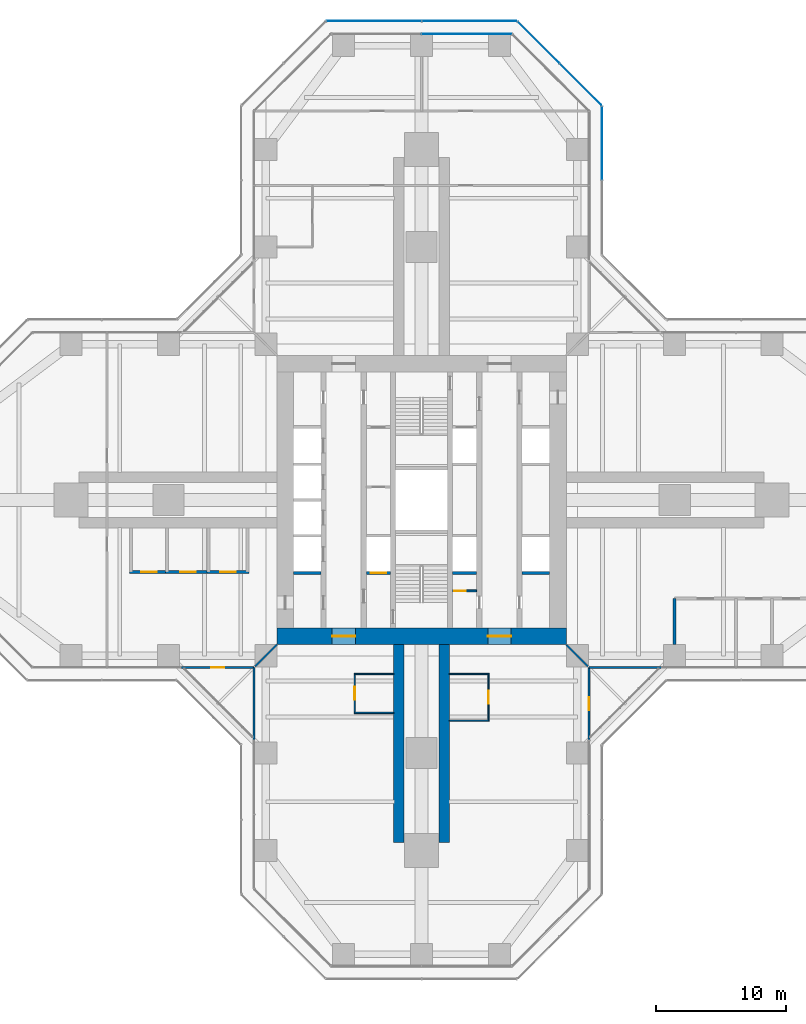
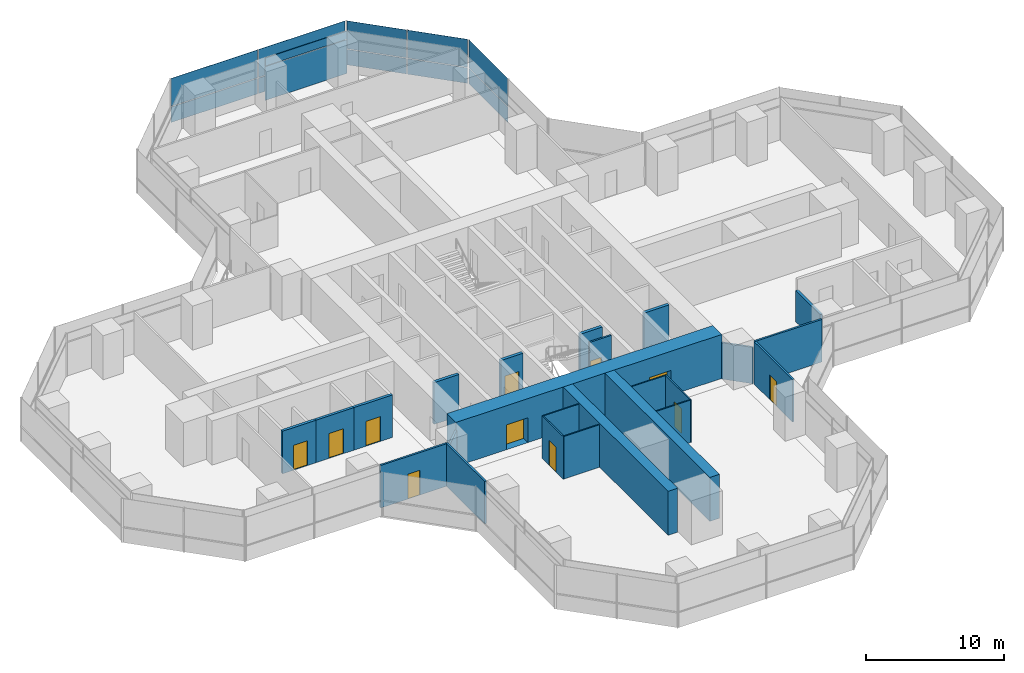
# One storey, part 17 of 22: 24 walls, 12 plates, 11 doors, 11 openings, 4 elements without a shape of their own.
"""IFC4 building model written with IfcOpenShell, lengths in metres."""

from ifc_helpers import new_model, si_unit, direction, frame, frame_2d, origin, origin_2d, place, context, subcontext, project, spatial, rectangle, extrude, material, layer, layer_set, type_object, element, fill, aggregate, save


model = new_model("IFC4")

# Units and contexts
model_context = context("Model", 3, precision=1e-05, world=origin(), true_north=direction((0.0, 1.0)))
body_context = subcontext(model_context, "Body", "Model", "MODEL_VIEW")
ifc_project = project(units=[si_unit("LENGTHUNIT", "METRE"), si_unit("AREAUNIT", "SQUARE_METRE"), si_unit("VOLUMEUNIT", "CUBIC_METRE"), si_unit("PLANEANGLEUNIT", "RADIAN"), si_unit("MASSUNIT", "GRAM", prefix="KILO")], contexts=[model_context])

# Site, building, storey
site_placement = place(None, origin())
site = spatial("IfcSite", under=ifc_project, at=site_placement, CompositionType="ELEMENT")
building_placement = place(site_placement, origin())
building = spatial("IfcBuilding", under=site, at=building_placement, Name="Mizan Broadcast Tower", CompositionType="ELEMENT")
storey_placement = place(building_placement, frame((0.0, 0.0, 43.5)))
storey = spatial("IfcBuildingStorey", under=building, at=storey_placement, Name="L07", CompositionType="ELEMENT", Elevation=43.5)

# Curtain wall, plates
ifc_material_1 = material(Name="Aluminium framed glazing", Category="aluminium")
curtain_wall_type_1 = type_object("IfcCurtainWallType", Name="INNER SKIN LOW ZONE", PredefinedType="USERDEFINED", material=ifc_material_1)
curtain_wall_1_placement = place(storey_placement, origin())
curtain_wall_1 = element("IfcCurtainWall", 1, at=curtain_wall_1_placement, inside=storey, type_object=curtain_wall_type_1, Name="Inner skin low zone L07 N end", ObjectType="INNER SKIN LOW ZONE", PredefinedType="USERDEFINED")
ifc_material_2 = material(Name="Double glazing, clear low-e", Category="glass")
ifc_layer_1 = layer(ifc_material_2, 0.028076171875)
ifc_layer_set_1 = layer_set([ifc_layer_1], Name="Double glazing, clear low-e")
plate_type_1 = type_object("IfcPlateType", Name="INNER SKIN GLAZING UNIT", PredefinedType="CURTAIN_PANEL", material=ifc_layer_set_1)
plate_1_placement = place(storey_placement, frame((3.46435546875, 35.89990234375, 0.0), z_axis=(0.0, 0.0, 1.0), x_axis=(-1.0, 0.0, 0.0)))
plate_1 = element("IfcPlate", 2, at=plate_1_placement, type_object=plate_type_1, Name="Inner skin low zone L07 N end panel 1.1", PredefinedType="CURTAIN_PANEL", context=body_context, shape_type="SweptSolid", body=[
    extrude(rectangle(XDim=6.86865234375, YDim=0.028076171875, at=origin_2d()), origin(), (0.0, 0.0, 1.0), 3.0),
])
ifc_material_3 = material(Name="Insulated aluminium spandrel panel, pale anodised", Category="aluminium")
ifc_layer_2 = layer(ifc_material_3, 0.050048828125)
ifc_layer_set_2 = layer_set([ifc_layer_2], Name="Insulated aluminium spandrel panel, pale anodised")
plate_type_2 = type_object("IfcPlateType", Name="INNER SKIN SPANDREL PANEL", PredefinedType="CURTAIN_PANEL", material=ifc_layer_set_2)
plate_2_placement = place(storey_placement, frame((3.46435546875, 35.89990234375, 3.06005859375), z_axis=(0.0, 0.0, 1.0), x_axis=(-1.0, 0.0, 0.0)))
plate_2 = element("IfcPlate", 3, at=plate_2_placement, type_object=plate_type_2, Name="Inner skin low zone L07 N end panel 1.2", PredefinedType="CURTAIN_PANEL", context=body_context, shape_type="SweptSolid", body=[
    extrude(rectangle(XDim=6.86865234375, YDim=0.050048828125, at=origin_2d()), origin(), (0.0, 0.0, 1.0), 0.7099609375),
])
aggregate(curtain_wall_1, [plate_1, plate_2])

ifc_material_4 = material(Name="Aluminium framed glazing", Category="aluminium")
curtain_wall_type_2 = type_object("IfcCurtainWallType", Name="OUTER SKIN", PredefinedType="USERDEFINED", material=ifc_material_4)
curtain_wall_2_placement = place(storey_placement, origin())
curtain_wall_2 = element("IfcCurtainWall", 4, at=curtain_wall_2_placement, inside=storey, type_object=curtain_wall_type_2, Name="Outer skin L07 N chamfer", ObjectType="OUTER SKIN", PredefinedType="USERDEFINED")
ifc_material_5 = material(Name="Laminated clear glass", Category="glass")
ifc_layer_3 = layer(ifc_material_5, 0.02001953125)
ifc_layer_set_3 = layer_set([ifc_layer_3], Name="Laminated clear glass")
plate_type_3 = type_object("IfcPlateType", Name="OUTER SKIN CLEAR GLASS", PredefinedType="CURTAIN_PANEL", material=ifc_layer_set_3)
plate_3_placement = place(storey_placement, frame((12.254150390625, 32.018798828125, 0.0), z_axis=(0.0, 0.0, 1.0), x_axis=(-0.707106781187, 0.707106781187, 0.0)))
plate_3 = element("IfcPlate", 5, at=plate_3_placement, type_object=plate_type_3, Name="Outer skin L07 N chamfer panel 1.1", PredefinedType="CURTAIN_PANEL", context=body_context, shape_type="SweptSolid", body=[
    extrude(rectangle(XDim=4.495361328125, YDim=0.02001953125, at=origin_2d()), origin(), (0.0, 0.0, 1.0), 1.3701171875),
])
plate_4_placement = place(storey_placement, frame((12.254150390625, 32.018798828125, 1.43017578125), z_axis=(0.0, 0.0, 1.0), x_axis=(-0.707106781187, 0.707106781187, 0.0)))
plate_4 = element("IfcPlate", 6, at=plate_4_placement, type_object=plate_type_3, Name="Outer skin L07 N chamfer panel 1.2", PredefinedType="CURTAIN_PANEL", context=body_context, shape_type="SweptSolid", body=[
    extrude(rectangle(XDim=4.495361328125, YDim=0.02001953125, at=origin_2d()), origin(), (0.0, 0.0, 1.0), 2.469970703125),
])

curtain_wall_3_placement = place(storey_placement, origin())
curtain_wall_3 = element("IfcCurtainWall", 7, at=curtain_wall_3_placement, inside=storey, type_object=curtain_wall_type_2, Name="Outer skin L07 N end", ObjectType="OUTER SKIN", PredefinedType="USERDEFINED")
plate_5_placement = place(storey_placement, frame((3.66650390625, 36.89990234375, 0.0), z_axis=(0.0, 0.0, 1.0), x_axis=(-1.0, 0.0, 0.0)))
plate_5 = element("IfcPlate", 8, at=plate_5_placement, type_object=plate_type_3, Name="Outer skin L07 N end panel 1.1", PredefinedType="CURTAIN_PANEL", context=body_context, shape_type="SweptSolid", body=[
    extrude(rectangle(XDim=7.252685546875, YDim=0.02001953125, at=origin_2d()), origin(), (0.0, 0.0, 1.0), 1.3701171875),
])
plate_6_placement = place(storey_placement, frame((3.66650390625, 36.89990234375, 1.43017578125), z_axis=(0.0, 0.0, 1.0), x_axis=(-1.0, 0.0, 0.0)))
plate_6 = element("IfcPlate", 9, at=plate_6_placement, type_object=plate_type_3, Name="Outer skin L07 N end panel 1.2", PredefinedType="CURTAIN_PANEL", context=body_context, shape_type="SweptSolid", body=[
    extrude(rectangle(XDim=7.252685546875, YDim=0.02001953125, at=origin_2d()), origin(), (0.0, 0.0, 1.0), 2.469970703125),
])
plate_7_placement = place(storey_placement, frame((-3.66650390625, 36.89990234375, 0.0), z_axis=(0.0, 0.0, 1.0), x_axis=(-1.0, 0.0, 0.0)))
plate_7 = element("IfcPlate", 10, at=plate_7_placement, type_object=plate_type_3, Name="Outer skin L07 N end panel 2.1", PredefinedType="CURTAIN_PANEL", context=body_context, shape_type="SweptSolid", body=[
    extrude(rectangle(XDim=7.252685546875, YDim=0.02001953125, at=origin_2d()), origin(), (0.0, 0.0, 1.0), 1.3701171875),
])
plate_8_placement = place(storey_placement, frame((-3.66650390625, 36.89990234375, 1.43017578125), z_axis=(0.0, 0.0, 1.0), x_axis=(-1.0, 0.0, 0.0)))
plate_8 = element("IfcPlate", 11, at=plate_8_placement, type_object=plate_type_3, Name="Outer skin L07 N end panel 2.2", PredefinedType="CURTAIN_PANEL", context=body_context, shape_type="SweptSolid", body=[
    extrude(rectangle(XDim=7.252685546875, YDim=0.02001953125, at=origin_2d()), origin(), (0.0, 0.0, 1.0), 2.469970703125),
])
aggregate(curtain_wall_3, [plate_5, plate_6, plate_7, plate_8])

curtain_wall_4_placement = place(storey_placement, origin())
curtain_wall_4 = element("IfcCurtainWall", 12, at=curtain_wall_4_placement, inside=storey, type_object=curtain_wall_type_2, Name="Outer skin L07 N side", ObjectType="OUTER SKIN", PredefinedType="USERDEFINED")
ifc_material_6 = material(Name="Perforated aluminium, pale anodised", Category="aluminium")
ifc_layer_4 = layer(ifc_material_6, 0.011962890625)
ifc_layer_set_4 = layer_set([ifc_layer_4], Name="Perforated aluminium, pale anodised")
plate_type_4 = type_object("IfcPlateType", Name="OUTER SKIN PERFORATED SCREEN", PredefinedType="USERDEFINED", material=ifc_layer_set_4)
plate_9_placement = place(storey_placement, frame((13.89990234375, 27.477783203125, 0.0), z_axis=(0.0, 0.0, 1.0), x_axis=(0.0, 1.0, 0.0)))
plate_9 = element("IfcPlate", 13, at=plate_9_placement, type_object=plate_type_4, Name="Outer skin L07 N side panel 2.1", ObjectType="SCREEN", PredefinedType="USERDEFINED", context=body_context, shape_type="SweptSolid", body=[
    extrude(rectangle(XDim=5.6298828125, YDim=0.011962890625, at=origin_2d()), origin(), (0.0, 0.0, 1.0), 1.3701171875),
])
plate_10_placement = place(storey_placement, frame((13.89990234375, 27.477783203125, 1.43017578125), z_axis=(0.0, 0.0, 1.0), x_axis=(0.0, 1.0, 0.0)))
plate_10 = element("IfcPlate", 14, at=plate_10_placement, type_object=plate_type_4, Name="Outer skin L07 N side panel 2.2", ObjectType="SCREEN", PredefinedType="USERDEFINED", context=body_context, shape_type="SweptSolid", body=[
    extrude(rectangle(XDim=5.6298828125, YDim=0.011962890625, at=origin_2d()), origin(), (0.0, 0.0, 1.0), 2.469970703125),
])
aggregate(curtain_wall_4, [plate_9, plate_10])

# Plate
plate_11_placement = place(storey_placement, frame((9.018798828125, 35.254150390625, 0.0), z_axis=(0.0, 0.0, 1.0), x_axis=(-0.707106781187, 0.707106781187, 0.0)))
plate_11 = element("IfcPlate", 15, at=plate_11_placement, type_object=plate_type_4, Name="Outer skin L07 N chamfer panel 2.1", ObjectType="SCREEN", PredefinedType="USERDEFINED", context=body_context, shape_type="SweptSolid", body=[
    extrude(rectangle(XDim=4.495361328125, YDim=0.011962890625, at=origin_2d()), origin(), (0.0, 0.0, 1.0), 1.3701171875),
])

plate_12_placement = place(storey_placement, frame((9.018798828125, 35.254150390625, 1.43017578125), z_axis=(0.0, 0.0, 1.0), x_axis=(-0.707106781187, 0.707106781187, 0.0)))
plate_12 = element("IfcPlate", 16, at=plate_12_placement, type_object=plate_type_4, Name="Outer skin L07 N chamfer panel 2.2", ObjectType="SCREEN", PredefinedType="USERDEFINED", context=body_context, shape_type="SweptSolid", body=[
    extrude(rectangle(XDim=4.495361328125, YDim=0.011962890625, at=origin_2d()), origin(), (0.0, 0.0, 1.0), 2.469970703125),
])

aggregate(curtain_wall_2, [plate_3, plate_4, plate_11, plate_12])

# Wall, opening, door
ifc_material_7 = material(Name="Concrete blockwork", Category="masonry")
ifc_layer_5 = layer(ifc_material_7, 0.14990234375)
ifc_layer_set_5 = layer_set([ifc_layer_5], Name="Concrete blockwork")
wall_type_1 = type_object("IfcWallType", Name="CORE PARTITION 150", PredefinedType="SOLIDWALL", material=ifc_layer_set_5)
wall_1_placement = place(storey_placement, frame((2.39990234375, -7.0, 0.0), z_axis=(0.0, 0.0, 1.0), x_axis=(1.0, 0.0, 0.0)))
wall_1 = element("IfcWall", 17, at=wall_1_placement, inside=storey, type_object=wall_type_1, Name="Core partition CORE/XPC", PredefinedType="SOLIDWALL", context=body_context, shape_type="SweptSolid", body=[
    extrude(rectangle(XDim=1.85009765625, YDim=0.14990234375, at=frame_2d((0.925048828125, 0.0))), origin(), (0.0, 0.0, 1.0), 3.77001953125),
])
opening_1_placement = place(wall_1_placement, frame((0.10009765625, 0.0, 0.0)))
opening_1 = element("IfcOpeningElement", 18, at=opening_1_placement, cuts=wall_1, Name="Opening D09F", PredefinedType="OPENING", context=body_context, shape_type="SweptSolid", body=[
    extrude(rectangle(XDim=0.89990234375, YDim=2.10009765625, at=frame_2d((0.449951171875, 1.050048828125))), frame((0.0, 0.0849609375, 0.0), z_axis=(0.0, -1.0, 0.0), x_axis=(1.0, 0.0, 0.0)), (0.0, 0.0, 1.0), 0.169921875),
])
ifc_material_8 = material(Name="Steel door leaf in steel frame", Category="steel")
door_type_1 = type_object("IfcDoorType", Name="CORE ROOM DOOR 900 FD90", OperationType="SINGLE_SWING_LEFT", PredefinedType="DOOR", material=ifc_material_8)
door_1_placement = place(opening_1_placement, origin())
door_1 = element("IfcDoor", 19, at=door_1_placement, inside=storey, type_object=door_type_1, Name="Waste store door", OperationType="SINGLE_SWING_LEFT", OverallHeight=2.10009765625, OverallWidth=0.89990234375, PredefinedType="DOOR", context=body_context, shape_type="SweptSolid", body=[
    extrude(rectangle(XDim=0.89990234375, YDim=2.10009765625, at=frame_2d((0.449951171875, 1.050048828125))), frame((0.0, 0.02490234375, 0.0), z_axis=(0.0, -1.0, 0.0), x_axis=(1.0, 0.0, 0.0)), (0.0, 0.0, 1.0), 0.050048828125),
])
fill(opening_1, door_1)

# Wall, openings, doors
ifc_material_9 = material(Name="Concrete C70/85", Category="concrete")
ifc_layer_6 = layer(ifc_material_9, 1.300048828125)
ifc_layer_set_6 = layer_set([ifc_layer_6], Name="Concrete C70/85")
wall_type_2 = type_object("IfcWallType", Name="CORE WALL 1300", PredefinedType="SHEAR", material=ifc_layer_set_6)
wall_2_placement = place(storey_placement, frame((11.14990234375, -10.5, 0.0), z_axis=(0.0, 0.0, 1.0), x_axis=(-1.0, 0.0, 0.0)))
wall_2 = element("IfcWall", 20, at=wall_2_placement, inside=storey, type_object=wall_type_2, Name="Core wall S L07", PredefinedType="SHEAR", context=body_context, shape_type="SweptSolid", body=[
    extrude(rectangle(XDim=22.2998046875, YDim=1.300048828125, at=frame_2d((11.14990234375, 0.0))), origin(), (0.0, 0.0, 1.0), 3.89990234375),
])
opening_2_placement = place(wall_2_placement, frame((16.25, 0.0, 0.0)))
opening_2 = element("IfcOpeningElement", 21, at=opening_2_placement, cuts=wall_2, Name="Opening D18F", PredefinedType="OPENING", context=body_context, shape_type="SweptSolid", body=[
    extrude(rectangle(XDim=1.800048828125, YDim=2.199951171875, at=frame_2d((0.89990234375, 1.10009765625))), frame((0.0, 0.659912109375, 0.0), z_axis=(0.0, -1.0, 0.0), x_axis=(1.0, 0.0, 0.0)), (0.0, 0.0, 1.0), 1.320068359375),
])
opening_3_placement = place(wall_2_placement, frame((4.25, 0.0, 0.0)))
opening_3 = element("IfcOpeningElement", 22, at=opening_3_placement, cuts=wall_2, Name="Opening D18F", PredefinedType="OPENING", context=body_context, shape_type="SweptSolid", body=[
    extrude(rectangle(XDim=1.800048828125, YDim=2.199951171875, at=frame_2d((0.89990234375, 1.10009765625))), frame((0.0, 0.659912109375, 0.0), z_axis=(0.0, -1.0, 0.0), x_axis=(1.0, 0.0, 0.0)), (0.0, 0.0, 1.0), 1.320068359375),
])
ifc_material_10 = material(Name="Steel door leaf in steel frame", Category="steel")
door_type_2 = type_object("IfcDoorType", Name="LOBBY DOUBLE DOOR 1800 FD90", OperationType="DOUBLE_DOOR_DOUBLE_SWING", PredefinedType="DOOR", material=ifc_material_10)
door_2_placement = place(opening_2_placement, origin())
door_2 = element("IfcDoor", 23, at=door_2_placement, inside=storey, type_object=door_type_2, Name="West lift lobby south door", OperationType="DOUBLE_DOOR_DOUBLE_SWING", OverallHeight=2.199951171875, OverallWidth=1.800048828125, PredefinedType="DOOR", context=body_context, shape_type="SweptSolid", body=[
    extrude(rectangle(XDim=1.800048828125, YDim=2.199951171875, at=frame_2d((0.89990234375, 1.10009765625))), frame((0.0, 0.02490234375, 0.0), z_axis=(0.0, -1.0, 0.0), x_axis=(1.0, 0.0, 0.0)), (0.0, 0.0, 1.0), 0.050048828125),
])
fill(opening_2, door_2)
door_3_placement = place(opening_3_placement, origin())
door_3 = element("IfcDoor", 24, at=door_3_placement, inside=storey, type_object=door_type_2, Name="East lift lobby south door", OperationType="DOUBLE_DOOR_DOUBLE_SWING", OverallHeight=2.199951171875, OverallWidth=1.800048828125, PredefinedType="DOOR", context=body_context, shape_type="SweptSolid", body=[
    extrude(rectangle(XDim=1.800048828125, YDim=2.199951171875, at=frame_2d((0.89990234375, 1.10009765625))), frame((0.0, 0.02490234375, 0.0), z_axis=(0.0, -1.0, 0.0), x_axis=(1.0, 0.0, 0.0)), (0.0, 0.0, 1.0), 0.050048828125),
])
fill(opening_3, door_3)

# Wall
ifc_material_11 = material(Name="Aluminium framed glazed screen", Category="aluminium")
ifc_layer_7 = layer(ifc_material_11, 0.159912109375)
ifc_layer_set_7 = layer_set([ifc_layer_7], Name="Aluminium framed glazed screen")
wall_type_3 = type_object("IfcWallType", Name="GLAZED SCREEN WALL 160", PredefinedType="SOLIDWALL", material=ifc_layer_set_7)
wall_3_placement = place(storey_placement, frame((12.89990234375, -12.89990234375, 0.0), z_axis=(0.0, 0.0, 1.0), x_axis=(1.0, 0.0, 0.0)))
element("IfcWall", 25, at=wall_3_placement, inside=storey, type_object=wall_type_3, Name="Winter garden screen L07 E", PredefinedType="SOLIDWALL", context=body_context, shape_type="SweptSolid", body=[
    extrude(rectangle(XDim=5.60009765625, YDim=0.159912109375, at=frame_2d((2.800048828125, 0.0))), origin(), (0.0, 0.0, 1.0), 3.77001953125),
])

# Wall, opening, door
wall_4_placement = place(storey_placement, frame((-18.5, -12.89990234375, 0.0), z_axis=(0.0, 0.0, 1.0), x_axis=(1.0, 0.0, 0.0)))
wall_4 = element("IfcWall", 26, at=wall_4_placement, inside=storey, type_object=wall_type_3, Name="Winter garden screen L07 W", PredefinedType="SOLIDWALL", context=body_context, shape_type="SweptSolid", body=[
    extrude(rectangle(XDim=5.60009765625, YDim=0.159912109375, at=frame_2d((2.800048828125, 0.0))), origin(), (0.0, 0.0, 1.0), 3.77001953125),
])
opening_4_placement = place(wall_4_placement, frame((2.300048828125, 0.0, 0.0)))
opening_4 = element("IfcOpeningElement", 27, at=opening_4_placement, cuts=wall_4, Name="Opening WGD", PredefinedType="OPENING", context=body_context, shape_type="SweptSolid", body=[
    extrude(rectangle(XDim=1.0, YDim=2.199951171875, at=frame_2d((0.5, 1.10009765625))), frame((0.0, 0.08984375, 0.0), z_axis=(0.0, -1.0, 0.0), x_axis=(1.0, 0.0, 0.0)), (0.0, 0.0, 1.0), 0.179931640625),
])
ifc_material_12 = material(Name="Aluminium framed glazed door", Category="aluminium")
door_type_3 = type_object("IfcDoorType", Name="WINTER GARDEN DOOR 1000 GLAZED", OperationType="SINGLE_SWING_LEFT", PredefinedType="DOOR", material=ifc_material_12)
door_4_placement = place(opening_4_placement, origin())
door_4 = element("IfcDoor", 28, at=door_4_placement, inside=storey, type_object=door_type_3, Name="Winter garden door L07 W", OperationType="SINGLE_SWING_RIGHT", OverallHeight=2.199951171875, OverallWidth=1.0, PredefinedType="DOOR", context=body_context, shape_type="SweptSolid", body=[
    extrude(rectangle(XDim=1.0, YDim=2.199951171875, at=frame_2d((0.5, 1.10009765625))), frame((0.0, 0.02490234375, 0.0), z_axis=(0.0, -1.0, 0.0), x_axis=(1.0, 0.0, 0.0)), (0.0, 0.0, 1.0), 0.050048828125),
])
fill(opening_4, door_4)

# Wall
wall_5_placement = place(storey_placement, frame((-12.89990234375, -12.89990234375, 0.0), z_axis=(0.0, 0.0, 1.0), x_axis=(0.0, -1.0, 0.0)))
element("IfcWall", 29, at=wall_5_placement, inside=storey, type_object=wall_type_3, Name="Winter garden screen L07 S", PredefinedType="SOLIDWALL", context=body_context, shape_type="SweptSolid", body=[
    extrude(rectangle(XDim=5.60009765625, YDim=0.159912109375, at=frame_2d((2.800048828125, 0.0))), origin(), (0.0, 0.0, 1.0), 3.77001953125),
])

# Wall, opening, door
wall_6_placement = place(storey_placement, frame((12.89990234375, -18.5, 0.0), z_axis=(0.0, 0.0, 1.0), x_axis=(0.0, 1.0, 0.0)))
wall_6 = element("IfcWall", 30, at=wall_6_placement, inside=storey, type_object=wall_type_3, Name="Winter garden screen L07 S", PredefinedType="SOLIDWALL", context=body_context, shape_type="SweptSolid", body=[
    extrude(rectangle(XDim=5.60009765625, YDim=0.159912109375, at=frame_2d((2.800048828125, 0.0))), origin(), (0.0, 0.0, 1.0), 3.77001953125),
])
opening_5_placement = place(wall_6_placement, frame((2.300048828125, 0.0, 0.0)))
opening_5 = element("IfcOpeningElement", 31, at=opening_5_placement, cuts=wall_6, Name="Opening WGD", PredefinedType="OPENING", context=body_context, shape_type="SweptSolid", body=[
    extrude(rectangle(XDim=1.0, YDim=2.199951171875, at=frame_2d((0.5, 1.10009765625))), frame((0.0, 0.08984375, 0.0), z_axis=(0.0, -1.0, 0.0), x_axis=(1.0, 0.0, 0.0)), (0.0, 0.0, 1.0), 0.179931640625),
])
door_5_placement = place(opening_5_placement, origin())
door_5 = element("IfcDoor", 32, at=door_5_placement, inside=storey, type_object=door_type_3, Name="Winter garden door L07 S", OperationType="SINGLE_SWING_RIGHT", OverallHeight=2.199951171875, OverallWidth=1.0, PredefinedType="DOOR", context=body_context, shape_type="SweptSolid", body=[
    extrude(rectangle(XDim=1.0, YDim=2.199951171875, at=frame_2d((0.5, 1.10009765625))), frame((0.0, 0.02490234375, 0.0), z_axis=(0.0, -1.0, 0.0), x_axis=(1.0, 0.0, 0.0)), (0.0, 0.0, 1.0), 0.050048828125),
])
fill(opening_5, door_5)

# Wall
ifc_material_13 = material(Name="Concrete blockwork", Category="masonry")
ifc_layer_8 = layer(ifc_material_13, 0.25)
ifc_layer_set_8 = layer_set([ifc_layer_8], Name="Concrete blockwork")
wall_type_4 = type_object("IfcWallType", Name="LOBBY ENCLOSURE WALL 250", PredefinedType="SOLIDWALL", material=ifc_layer_set_8)
wall_7_placement = place(storey_placement, frame((-9.85009765625, -5.625, 0.0), z_axis=(0.0, 0.0, 1.0), x_axis=(1.0, 0.0, 0.0)))
element("IfcWall", 33, at=wall_7_placement, inside=storey, type_object=wall_type_4, Name="Lobby enclosure wall CORE/BW1S", PredefinedType="SOLIDWALL", context=body_context, shape_type="SweptSolid", body=[
    extrude(rectangle(XDim=2.10009765625, YDim=0.25, at=frame_2d((1.050048828125, 0.0))), origin(), (0.0, 0.0, 1.0), 3.699951171875),
])

# Wall, opening, door
wall_8_placement = place(storey_placement, frame((-4.25, -5.625, 0.0), z_axis=(0.0, 0.0, 1.0), x_axis=(1.0, 0.0, 0.0)))
wall_8 = element("IfcWall", 34, at=wall_8_placement, inside=storey, type_object=wall_type_4, Name="Lobby enclosure wall CORE/BW2S", PredefinedType="SOLIDWALL", context=body_context, shape_type="SweptSolid", body=[
    extrude(rectangle(XDim=1.85009765625, YDim=0.25, at=frame_2d((0.925048828125, 0.0))), origin(), (0.0, 0.0, 1.0), 3.699951171875),
])
opening_6_placement = place(wall_8_placement, frame((0.324951171875, 0.0, 0.0)))
opening_6 = element("IfcOpeningElement", 35, at=opening_6_placement, cuts=wall_8, Name="Opening LDF", PredefinedType="OPENING", context=body_context, shape_type="SweptSolid", body=[
    extrude(rectangle(XDim=1.199951171875, YDim=2.199951171875, at=frame_2d((0.60009765625, 1.10009765625))), frame((0.0, 0.135009765625, 0.0), z_axis=(0.0, -1.0, 0.0), x_axis=(1.0, 0.0, 0.0)), (0.0, 0.0, 1.0), 0.27001953125),
])
ifc_material_14 = material(Name="Steel door leaf in steel frame", Category="steel")
door_type_4 = type_object("IfcDoorType", Name="FIREFIGHTING LIFT LANDING DOOR 1200", OperationType="SLIDING_TO_LEFT", PredefinedType="DOOR", material=ifc_material_14)
door_6_placement = place(opening_6_placement, origin())
door_6 = element("IfcDoor", 36, at=door_6_placement, inside=storey, type_object=door_type_4, Name="Landing door FF1", OperationType="SLIDING_TO_LEFT", OverallHeight=2.199951171875, OverallWidth=1.199951171875, PredefinedType="DOOR", context=body_context, shape_type="SweptSolid", body=[
    extrude(rectangle(XDim=1.199951171875, YDim=2.199951171875, at=frame_2d((0.60009765625, 1.10009765625))), frame((0.0, 0.02490234375, 0.0), z_axis=(0.0, -1.0, 0.0), x_axis=(1.0, 0.0, 0.0)), (0.0, 0.0, 1.0), 0.050048828125),
])
fill(opening_6, door_6)

# Walls
wall_9_placement = place(storey_placement, frame((2.39990234375, -5.625, 0.0), z_axis=(0.0, 0.0, 1.0), x_axis=(1.0, 0.0, 0.0)))
element("IfcWall", 37, at=wall_9_placement, inside=storey, type_object=wall_type_4, Name="Lobby enclosure wall CORE/BE2S", PredefinedType="SOLIDWALL", context=body_context, shape_type="SweptSolid", body=[
    extrude(rectangle(XDim=1.85009765625, YDim=0.25, at=frame_2d((0.925048828125, 0.0))), origin(), (0.0, 0.0, 1.0), 3.699951171875),
])
wall_10_placement = place(storey_placement, frame((7.75, -5.625, 0.0), z_axis=(0.0, 0.0, 1.0), x_axis=(1.0, 0.0, 0.0)))
element("IfcWall", 38, at=wall_10_placement, inside=storey, type_object=wall_type_4, Name="Lobby enclosure wall CORE/BE1S", PredefinedType="SOLIDWALL", context=body_context, shape_type="SweptSolid", body=[
    extrude(rectangle(XDim=2.10009765625, YDim=0.25, at=frame_2d((1.050048828125, 0.0))), origin(), (0.0, 0.0, 1.0), 3.699951171875),
])
ifc_material_15 = material(Name="Gypsum board on steel studs", Category="steel")
ifc_layer_9 = layer(ifc_material_15, 0.14990234375)
ifc_layer_set_9 = layer_set([ifc_layer_9], Name="Gypsum board on steel studs")
wall_type_5 = type_object("IfcWallType", Name="PARTITION 150", PredefinedType="PARTITIONING", material=ifc_layer_set_9)
for number, where, z_axis, x_axis, name in (
    (39, (-11.14990234375, -11.14990234375, 0.0), (0.0, 0.0, 1.0), (-0.707106781187, -0.707106781187, 0.0), "Partition PT/DGWS"),
    (40, (11.14990234375, -11.14990234375, 0.0), (0.0, 0.0, 1.0), (0.707106781187, -0.707106781187, 0.0), "Partition PT/DGES"),
):
    element("IfcWall", number, at=place(storey_placement, frame(where, z_axis=z_axis, x_axis=x_axis)), inside=storey, type_object=wall_type_5, Name=name, PredefinedType="PARTITIONING", context=body_context, shape_type="SweptSolid", body=[
        extrude(rectangle(XDim=2.362060546875, YDim=0.14990234375, at=frame_2d((1.18115234375, 0.0))), origin(), (0.0, 0.0, 1.0), 3.219970703125),
    ])
ifc_material_16 = material(Name="Twin steel stud acoustic partition, four layers of gypsum board", Category="steel")
ifc_layer_10 = layer(ifc_material_16, 0.22509765625)
ifc_layer_set_10 = layer_set([ifc_layer_10], Name="Twin steel stud acoustic partition, four layers of gypsum board")
wall_type_6 = type_object("IfcWallType", Name="PARTITION ACOUSTIC 225", PredefinedType="PARTITIONING", material=ifc_layer_set_10)
wall_11_placement = place(storey_placement, frame((19.5, -7.60009765625, 0.0), z_axis=(0.0, 0.0, 1.0), x_axis=(0.0, -1.0, 0.0)))
element("IfcWall", 41, at=wall_11_placement, inside=storey, type_object=wall_type_6, Name="Acoustic partition PT/EQN1950", PredefinedType="PARTITIONING", context=body_context, shape_type="SweptSolid", body=[
    extrude(rectangle(XDim=3.5498046875, YDim=0.22509765625, at=frame_2d((1.77490234375, 0.0))), origin(), (0.0, 0.0, 1.0), 2.77001953125),
])

# Wall, opening, door
wall_12_placement = place(storey_placement, frame((-13.28759765625, -5.550048828125, 0.0), z_axis=(0.0, 0.0, 1.0), x_axis=(-1.0, 0.0, 0.0)))
wall_12 = element("IfcWall", 42, at=wall_12_placement, inside=storey, type_object=wall_type_6, Name="Acoustic partition PT/WKP0f", PredefinedType="PARTITIONING", context=body_context, shape_type="SweptSolid", body=[
    extrude(rectangle(XDim=3.224853515625, YDim=0.22509765625, at=frame_2d((1.6123046875, 0.0))), origin(), (0.0, 0.0, 1.0), 3.77001953125),
])
opening_7_placement = place(wall_12_placement, frame((1.012451171875, 0.0, 0.0)))
opening_7 = element("IfcOpeningElement", 43, at=opening_7_placement, cuts=wall_12, Name="Opening D12A", PredefinedType="OPENING", context=body_context, shape_type="SweptSolid", body=[
    extrude(rectangle(XDim=1.199951171875, YDim=2.199951171875, at=frame_2d((0.60009765625, 1.10009765625))), frame((0.0, 0.12255859375, 0.0), z_axis=(0.0, -1.0, 0.0), x_axis=(1.0, 0.0, 0.0)), (0.0, 0.0, 1.0), 0.2451171875),
])
ifc_material_17 = material(Name="Timber door leaf in aluminium frame", Category="wood")
door_type_5 = type_object("IfcDoorType", Name="ACOUSTIC DOOR 1200", OperationType="SINGLE_SWING_LEFT", PredefinedType="DOOR", material=ifc_material_17)
door_7_placement = place(opening_7_placement, origin())
door_7 = element("IfcDoor", 44, at=door_7_placement, inside=storey, type_object=door_type_5, Name="Edit suite door", OperationType="SINGLE_SWING_LEFT", OverallHeight=2.199951171875, OverallWidth=1.199951171875, PredefinedType="DOOR", context=body_context, shape_type="SweptSolid", body=[
    extrude(rectangle(XDim=1.199951171875, YDim=2.199951171875, at=frame_2d((0.60009765625, 1.10009765625))), frame((0.0, 0.02490234375, 0.0), z_axis=(0.0, -1.0, 0.0), x_axis=(1.0, 0.0, 0.0)), (0.0, 0.0, 1.0), 0.050048828125),
])
fill(opening_7, door_7)

wall_13_placement = place(storey_placement, frame((-16.512451171875, -5.550048828125, 0.0), z_axis=(0.0, 0.0, 1.0), x_axis=(-1.0, 0.0, 0.0)))
wall_13 = element("IfcWall", 45, at=wall_13_placement, inside=storey, type_object=wall_type_6, Name="Acoustic partition PT/WKP1f", PredefinedType="PARTITIONING", context=body_context, shape_type="SweptSolid", body=[
    extrude(rectangle(XDim=3.199951171875, YDim=0.22509765625, at=frame_2d((1.60009765625, 0.0))), origin(), (0.0, 0.0, 1.0), 3.77001953125),
])
opening_8_placement = place(wall_13_placement, frame((0.887451171875, 0.0, 0.0)))
opening_8 = element("IfcOpeningElement", 46, at=opening_8_placement, cuts=wall_13, Name="Opening D12A", PredefinedType="OPENING", context=body_context, shape_type="SweptSolid", body=[
    extrude(rectangle(XDim=1.199951171875, YDim=2.199951171875, at=frame_2d((0.60009765625, 1.10009765625))), frame((0.0, 0.12255859375, 0.0), z_axis=(0.0, -1.0, 0.0), x_axis=(1.0, 0.0, 0.0)), (0.0, 0.0, 1.0), 0.2451171875),
])
door_8_placement = place(opening_8_placement, origin())
door_8 = element("IfcDoor", 47, at=door_8_placement, inside=storey, type_object=door_type_5, Name="Edit suite door", OperationType="SINGLE_SWING_LEFT", OverallHeight=2.199951171875, OverallWidth=1.199951171875, PredefinedType="DOOR", context=body_context, shape_type="SweptSolid", body=[
    extrude(rectangle(XDim=1.199951171875, YDim=2.199951171875, at=frame_2d((0.60009765625, 1.10009765625))), frame((0.0, 0.02490234375, 0.0), z_axis=(0.0, -1.0, 0.0), x_axis=(1.0, 0.0, 0.0)), (0.0, 0.0, 1.0), 0.050048828125),
])
fill(opening_8, door_8)

wall_14_placement = place(storey_placement, frame((-19.71240234375, -5.550048828125, 0.0), z_axis=(0.0, 0.0, 1.0), x_axis=(-1.0, 0.0, 0.0)))
wall_14 = element("IfcWall", 48, at=wall_14_placement, inside=storey, type_object=wall_type_6, Name="Acoustic partition PT/WKP2f", PredefinedType="PARTITIONING", context=body_context, shape_type="SweptSolid", body=[
    extrude(rectangle(XDim=2.800048828125, YDim=0.22509765625, at=frame_2d((1.39990234375, 0.0))), origin(), (0.0, 0.0, 1.0), 3.77001953125),
])
opening_9_placement = place(wall_14_placement, frame((0.6875, 0.0, 0.0)))
opening_9 = element("IfcOpeningElement", 49, at=opening_9_placement, cuts=wall_14, Name="Opening D12A", PredefinedType="OPENING", context=body_context, shape_type="SweptSolid", body=[
    extrude(rectangle(XDim=1.199951171875, YDim=2.199951171875, at=frame_2d((0.60009765625, 1.10009765625))), frame((0.0, 0.12255859375, 0.0), z_axis=(0.0, -1.0, 0.0), x_axis=(1.0, 0.0, 0.0)), (0.0, 0.0, 1.0), 0.2451171875),
])
door_9_placement = place(opening_9_placement, origin())
door_9 = element("IfcDoor", 50, at=door_9_placement, inside=storey, type_object=door_type_5, Name="Edit suite door", OperationType="SINGLE_SWING_LEFT", OverallHeight=2.199951171875, OverallWidth=1.199951171875, PredefinedType="DOOR", context=body_context, shape_type="SweptSolid", body=[
    extrude(rectangle(XDim=1.199951171875, YDim=2.199951171875, at=frame_2d((0.60009765625, 1.10009765625))), frame((0.0, 0.02490234375, 0.0), z_axis=(0.0, -1.0, 0.0), x_axis=(1.0, 0.0, 0.0)), (0.0, 0.0, 1.0), 0.050048828125),
])
fill(opening_9, door_9)

# Walls
ifc_material_18 = material(Name="Glazed aluminium partition on aluminium track", Category="aluminium")
ifc_layer_11 = layer(ifc_material_18, 0.10009765625)
ifc_layer_set_11 = layer_set([ifc_layer_11], Name="Glazed aluminium partition on aluminium track")
wall_type_7 = type_object("IfcWallType", Name="PARTITION GLAZED OFFICE FRONT 100", PredefinedType="PARTITIONING", material=ifc_layer_set_11)
for number, where, z_axis, x_axis, name in (
    (51, (2.14990234375, -13.39990234375, 0.0), (0.0, 0.0, 1.0), (1.0, 0.0, 0.0), "Glazed office front PT/SKP0a"),
    (52, (2.14990234375, -17.0, 0.0), (0.0, 0.0, 1.0), (1.0, 0.0, 0.0), "Glazed office front PT/SKP0b"),
):
    element("IfcWall", number, at=place(storey_placement, frame(where, z_axis=z_axis, x_axis=x_axis)), inside=storey, type_object=wall_type_7, Name=name, PredefinedType="PARTITIONING", context=body_context, shape_type="SweptSolid", body=[
        extrude(rectangle(XDim=3.0, YDim=0.10009765625, at=frame_2d((1.5, 0.0))), origin(), (0.0, 0.0, 1.0), 3.77001953125),
    ])

# Wall, opening, door
wall_15_placement = place(storey_placement, frame((5.14990234375, -13.35009765625, 0.0), z_axis=(0.0, 0.0, 1.0), x_axis=(0.0, -1.0, 0.0)))
wall_15 = element("IfcWall", 53, at=wall_15_placement, inside=storey, type_object=wall_type_7, Name="Glazed office front PT/SKP0f", PredefinedType="PARTITIONING", context=body_context, shape_type="SweptSolid", body=[
    extrude(rectangle(XDim=3.699951171875, YDim=0.10009765625, at=frame_2d((1.85009765625, 0.0))), origin(), (0.0, 0.0, 1.0), 3.77001953125),
])
opening_10_placement = place(wall_15_placement, frame((1.35009765625, 0.0, 0.0)))
opening_10 = element("IfcOpeningElement", 54, at=opening_10_placement, cuts=wall_15, Name="Opening D10O", PredefinedType="OPENING", context=body_context, shape_type="SweptSolid", body=[
    extrude(rectangle(XDim=1.0, YDim=2.199951171875, at=frame_2d((0.5, 1.10009765625))), frame((0.0, 0.06005859375, 0.0), z_axis=(0.0, -1.0, 0.0), x_axis=(1.0, 0.0, 0.0)), (0.0, 0.0, 1.0), 0.1201171875),
])
ifc_material_19 = material(Name="Timber door leaf in aluminium frame", Category="wood")
door_type_6 = type_object("IfcDoorType", Name="OFFICE DOOR 1000 GLAZED", OperationType="SINGLE_SWING_LEFT", PredefinedType="DOOR", material=ifc_material_19)
door_10_placement = place(opening_10_placement, origin())
door_10 = element("IfcDoor", 55, at=door_10_placement, inside=storey, type_object=door_type_6, Name="Graphics room door", OperationType="SINGLE_SWING_LEFT", OverallHeight=2.199951171875, OverallWidth=1.0, PredefinedType="DOOR", context=body_context, shape_type="SweptSolid", body=[
    extrude(rectangle(XDim=1.0, YDim=2.199951171875, at=frame_2d((0.5, 1.10009765625))), frame((0.0, 0.02490234375, 0.0), z_axis=(0.0, -1.0, 0.0), x_axis=(1.0, 0.0, 0.0)), (0.0, 0.0, 1.0), 0.050048828125),
])
fill(opening_10, door_10)

# Walls
for number, where, z_axis, x_axis, name in (
    (56, (-2.14990234375, -13.39990234375, 0.0), (0.0, 0.0, 1.0), (-1.0, 0.0, 0.0), "Glazed office front PT/SKN0a"),
    (57, (-2.14990234375, -16.39990234375, 0.0), (0.0, 0.0, 1.0), (-1.0, 0.0, 0.0), "Glazed office front PT/SKN0b"),
):
    element("IfcWall", number, at=place(storey_placement, frame(where, z_axis=z_axis, x_axis=x_axis)), inside=storey, type_object=wall_type_7, Name=name, PredefinedType="PARTITIONING", context=body_context, shape_type="SweptSolid", body=[
        extrude(rectangle(XDim=3.0, YDim=0.10009765625, at=frame_2d((1.5, 0.0))), origin(), (0.0, 0.0, 1.0), 3.77001953125),
    ])

# Wall, opening, door
wall_16_placement = place(storey_placement, frame((-5.14990234375, -13.35009765625, 0.0), z_axis=(0.0, 0.0, 1.0), x_axis=(0.0, -1.0, 0.0)))
wall_16 = element("IfcWall", 58, at=wall_16_placement, inside=storey, type_object=wall_type_7, Name="Glazed office front PT/SKN0f", PredefinedType="PARTITIONING", context=body_context, shape_type="SweptSolid", body=[
    extrude(rectangle(XDim=3.099853515625, YDim=0.10009765625, at=frame_2d((1.5498046875, 0.0))), origin(), (0.0, 0.0, 1.0), 3.77001953125),
])
opening_11_placement = place(wall_16_placement, frame((1.050048828125, 0.0, 0.0)))
opening_11 = element("IfcOpeningElement", 59, at=opening_11_placement, cuts=wall_16, Name="Opening D10O", PredefinedType="OPENING", context=body_context, shape_type="SweptSolid", body=[
    extrude(rectangle(XDim=1.0, YDim=2.199951171875, at=frame_2d((0.5, 1.10009765625))), frame((0.0, 0.06005859375, 0.0), z_axis=(0.0, -1.0, 0.0), x_axis=(1.0, 0.0, 0.0)), (0.0, 0.0, 1.0), 0.1201171875),
])
door_11_placement = place(opening_11_placement, origin())
door_11 = element("IfcDoor", 60, at=door_11_placement, inside=storey, type_object=door_type_6, Name="Pantry door", OperationType="SINGLE_SWING_LEFT", OverallHeight=2.199951171875, OverallWidth=1.0, PredefinedType="DOOR", context=body_context, shape_type="SweptSolid", body=[
    extrude(rectangle(XDim=1.0, YDim=2.199951171875, at=frame_2d((0.5, 1.10009765625))), frame((0.0, 0.02490234375, 0.0), z_axis=(0.0, -1.0, 0.0), x_axis=(1.0, 0.0, 0.0)), (0.0, 0.0, 1.0), 0.050048828125),
])
fill(opening_11, door_11)

# Walls
ifc_material_20 = material(Name="Concrete C70/85", Category="concrete")
ifc_layer_12 = layer(ifc_material_20, 0.800048828125)
ifc_layer_set_12 = layer_set([ifc_layer_12], Name="Concrete C70/85")
wall_type_8 = type_object("IfcWallType", Name="SPINE WALL 800", PredefinedType="SHEAR", material=ifc_layer_set_12)
for number, where, z_axis, x_axis, name in (
    (61, (-1.75, -11.14990234375, 0.0), (0.0, 0.0, 1.0), (0.0, -1.0, 0.0), "Spine wall SR L07"),
    (62, (1.75, -11.14990234375, 0.0), (0.0, 0.0, 1.0), (0.0, -1.0, 0.0), "Spine wall SL L07"),
):
    element("IfcWall", number, at=place(storey_placement, frame(where, z_axis=z_axis, x_axis=x_axis)), inside=storey, type_object=wall_type_8, Name=name, PredefinedType="SHEAR", context=body_context, shape_type="SweptSolid", body=[
        extrude(rectangle(XDim=15.25, YDim=0.800048828125, at=frame_2d((7.625, 0.0))), origin(), (0.0, 0.0, 1.0), 3.89990234375),
    ])

save(model, "model.ifc")
